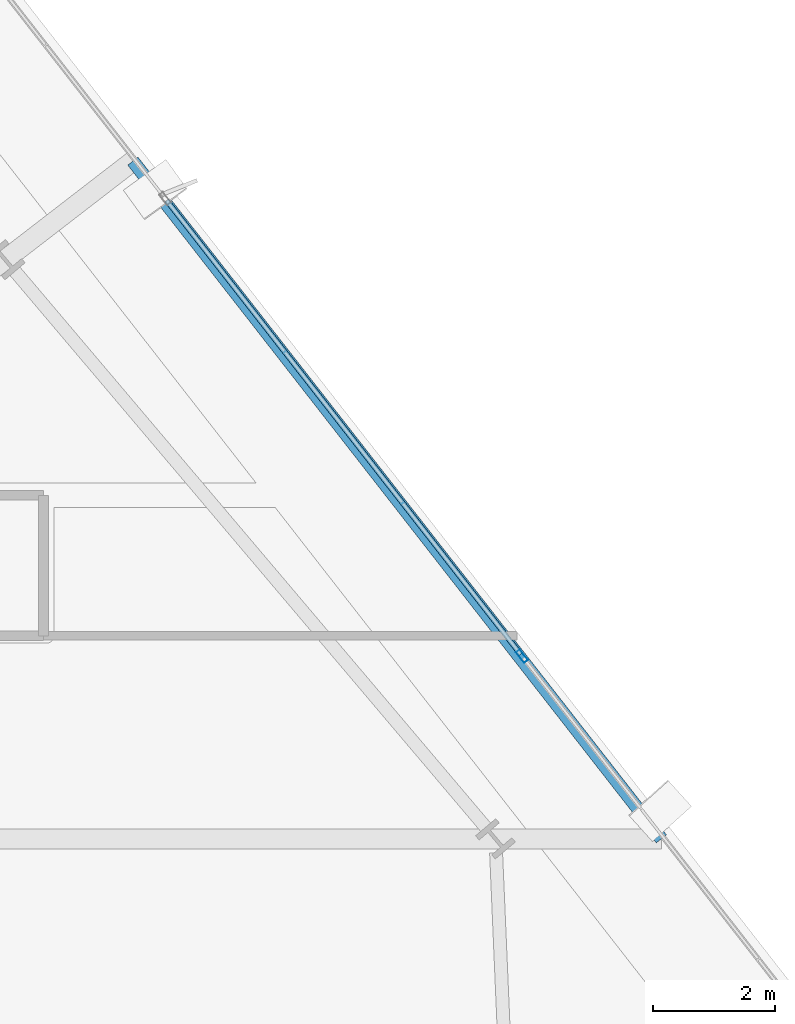
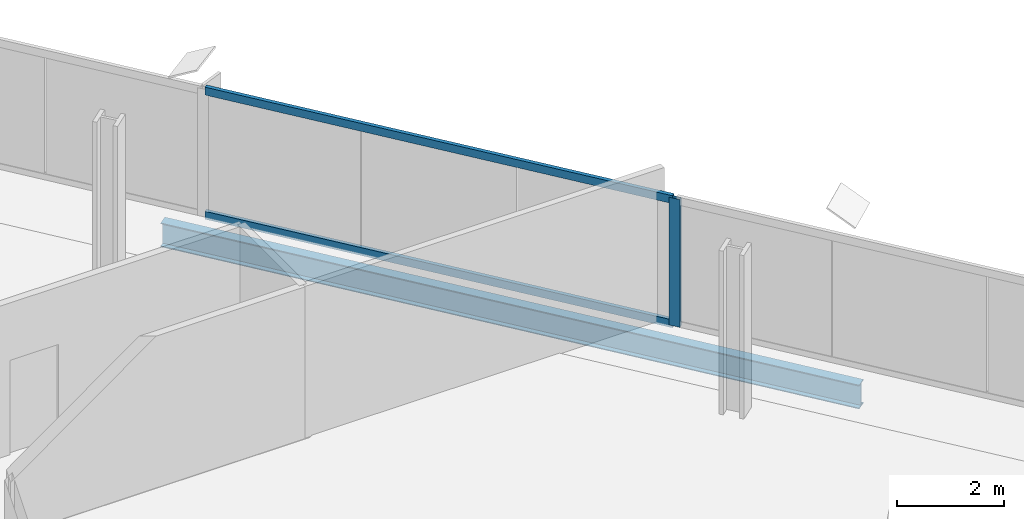
# One storey, part 19 of 32: 3 members, 1 beam, 1 element without a shape of its own.
"""IFC4 building model written with IfcOpenShell, lengths in metres."""

from ifc_helpers import new_model, si_unit, direction, frame, origin, origin_2d, place, context, subcontext, project, spatial, hollow_rectangle, i_section, extrude, material, material_profile, profile_set, type_object, element, aggregate, save


model = new_model("IFC4")

# Units and contexts
model_context = context("Model", 3, precision=1e-05, world=origin(), true_north=direction((0.0, 1.0)))
body_context = subcontext(model_context, "Body", "Model", "MODEL_VIEW")
ifc_project = project(units=[si_unit("LENGTHUNIT", "METRE"), si_unit("AREAUNIT", "SQUARE_METRE"), si_unit("VOLUMEUNIT", "CUBIC_METRE"), si_unit("PLANEANGLEUNIT", "RADIAN"), si_unit("MASSUNIT", "GRAM", prefix="KILO")], contexts=[model_context])

# Site, building, storey
site_placement = place(None, origin())
site = spatial("IfcSite", under=ifc_project, at=site_placement, CompositionType="ELEMENT")
building_placement = place(site_placement, origin())
building = spatial("IfcBuilding", under=site, at=building_placement, Name="Haldenkirk Collegiate Tower", CompositionType="ELEMENT")
storey_placement = place(building_placement, frame((0.0, 0.0, 155.699951171875)))
storey = spatial("IfcBuildingStorey", under=building, at=storey_placement, Name="L38", CompositionType="ELEMENT", Elevation=155.699951171875)

# Beam
ifc_material_1 = material(Name="Steel ASTM A992 Grade 50", Category="steel")
ifc_material_profile_1 = material_profile(ifc_material_1, i_section(OverallWidth=0.2119140625, OverallDepth=0.5439453125, WebThickness=0.01318359375, FlangeThickness=0.021240234375, at=origin_2d()), Name="W21X83")
ifc_profile_set_1 = profile_set([ifc_material_profile_1], Name="Steel ASTM A992 Grade 50")
beam_type = type_object("IfcBeamType", Name="BM-SPANDREL-W21X83", PredefinedType="SPANDREL", material=ifc_profile_set_1)
beam_placement = place(storey_placement, frame((63.916259765625, 30.82421875, -0.56201171875), z_axis=(-0.614974198397, 0.788547230866, 0.0), x_axis=(-0.788547230866, -0.614974198397, 0.0)))
element("IfcBeam", 1, at=beam_placement, inside=storey, type_object=beam_type, Name="L38 outer facade edge beam 2", PredefinedType="SPANDREL", context=body_context, shape_type="SweptSolid", body=[
    extrude(i_section(OverallWidth=0.2119140625, OverallDepth=0.5439453125, WebThickness=0.01318359375, FlangeThickness=0.021240234375, at=origin_2d()), origin(), (0.0, 0.0, 1.0), 14.072509765625),
])

# Curtain wall, members
ifc_material_2 = material(Name="Anodised architectural bronze aluminium", Category="aluminium")
curtain_wall_type = type_object("IfcCurtainWallType", Name="CW-SYS1-CONVEX-LOW", PredefinedType="USERDEFINED", material=ifc_material_2)
curtain_wall_placement = place(storey_placement, origin())
curtain_wall = element("IfcCurtainWall", 2, at=curtain_wall_placement, inside=storey, type_object=curtain_wall_type, Name="L38 Lower tower convex bronze-framed unitised curtain wall", ObjectType="UNITISED CURTAIN WALL", PredefinedType="USERDEFINED")
ifc_material_profile_2 = material_profile(ifc_material_2, hollow_rectangle(XDim=0.080078125, YDim=0.219970703125, WallThickness=0.0048828125, at=origin_2d()), Name="CW-MUL-1A")
ifc_profile_set_2 = profile_set([ifc_material_profile_2], Name="Anodised architectural bronze aluminium")
member_type_1 = type_object("IfcMemberType", Name="CW-MUL-1A", PredefinedType="MULLION", material=ifc_profile_set_2)
member_1_placement = place(storey_placement, frame((61.63330078125, 33.816650390625, 0.0), z_axis=(0.0, 0.0, 1.0), x_axis=(0.788547532235, 0.614973811968, 0.0)))
member_1 = element("IfcMember", 3, at=member_1_placement, type_object=member_type_1, Name="CW-1A mullion 4", PredefinedType="MULLION", context=body_context, shape_type="SweptSolid", body=[
    extrude(hollow_rectangle(XDim=0.080078125, YDim=0.219970703125, WallThickness=0.0048828125, at=origin_2d()), origin(), (0.0, 0.0, 1.0), 2.9111328125),
])
ifc_material_profile_3 = material_profile(ifc_material_2, hollow_rectangle(XDim=0.080078125, YDim=0.179931640625, WallThickness=0.0048828125, at=origin_2d()), Name="CW-TRN-1A")
ifc_profile_set_3 = profile_set([ifc_material_profile_3], Name="Anodised architectural bronze aluminium")
member_type_2 = type_object("IfcMemberType", Name="CW-TRN-1A", PredefinedType="USERDEFINED", material=ifc_profile_set_3)
member_2_placement = place(storey_placement, frame((55.815673828125, 41.2763671875, 0.0400390625), z_axis=(0.61496282996, -0.788556096779, 0.0), x_axis=(0.788556096779, 0.61496282996, 0.0)))
member_2 = element("IfcMember", 4, at=member_2_placement, type_object=member_type_2, Name="CW-1A transom 3.1", ObjectType="TRANSOM", PredefinedType="USERDEFINED", context=body_context, shape_type="SweptSolid", body=[
    extrude(hollow_rectangle(XDim=0.080078125, YDim=0.179931640625, WallThickness=0.0048828125, at=origin_2d()), origin(), (0.0, 0.0, 1.0), 9.419921875),
])
member_3_placement = place(storey_placement, frame((55.815673828125, 41.2763671875, 2.87109375), z_axis=(0.61496282996, -0.788556096779, 0.0), x_axis=(0.788556096779, 0.61496282996, 0.0)))
member_3 = element("IfcMember", 5, at=member_3_placement, type_object=member_type_2, Name="CW-1A transom 3.2", ObjectType="TRANSOM", PredefinedType="USERDEFINED", context=body_context, shape_type="SweptSolid", body=[
    extrude(hollow_rectangle(XDim=0.080078125, YDim=0.179931640625, WallThickness=0.0048828125, at=origin_2d()), origin(), (0.0, 0.0, 1.0), 9.419921875),
])
aggregate(curtain_wall, [member_1, member_2, member_3])

save(model, "model.ifc")
